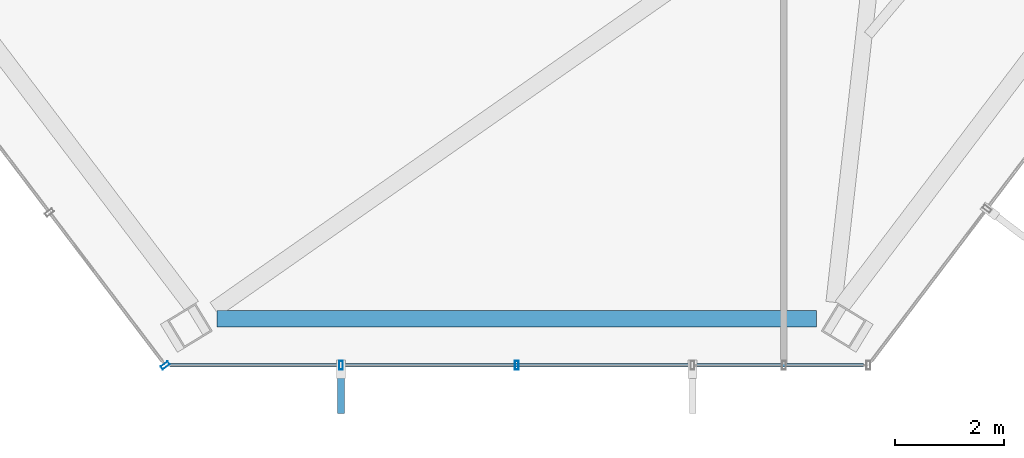
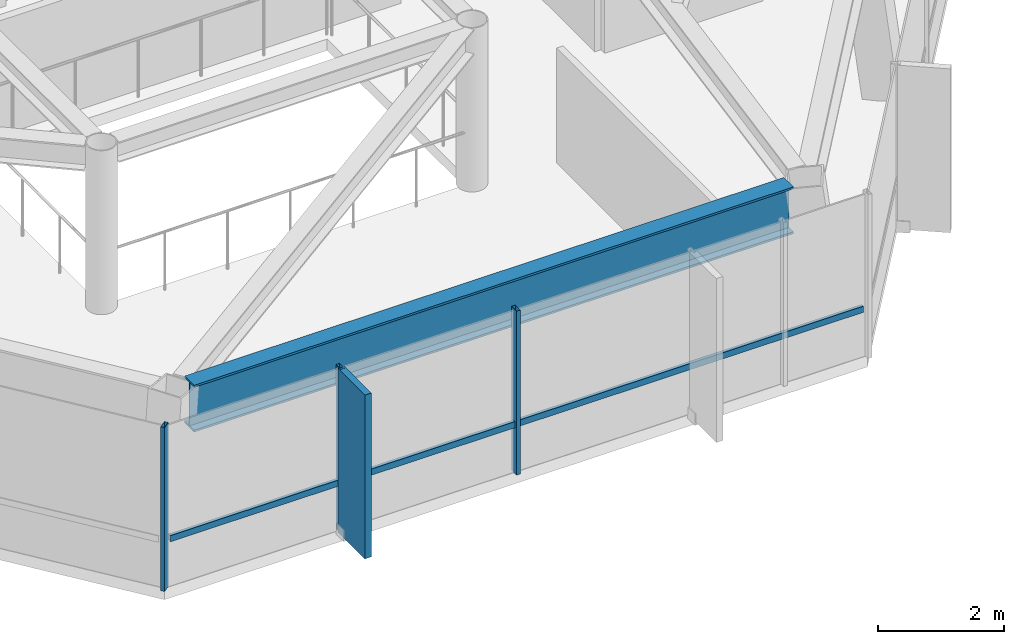
# One storey, part 5 of 27: 5 members, 1 beam, 2 elements without a shape of their own.
"""IFC4 building model written with IfcOpenShell, lengths in metres."""

from ifc_helpers import new_model, si_unit, direction, frame, origin, origin_2d, place, context, subcontext, project, spatial, rectangle, hollow_rectangle, i_section, extrude, material, layer, layer_set, material_profile, profile_set, type_object, element, aggregate, save


model = new_model("IFC4")

# Units and contexts
model_context = context("Model", 3, precision=1e-05, world=origin(), true_north=direction((0.0, 1.0)))
body_context = subcontext(model_context, "Body", "Model", "MODEL_VIEW")
ifc_project = project(units=[si_unit("LENGTHUNIT", "METRE"), si_unit("AREAUNIT", "SQUARE_METRE"), si_unit("VOLUMEUNIT", "CUBIC_METRE"), si_unit("PLANEANGLEUNIT", "RADIAN"), si_unit("MASSUNIT", "GRAM", prefix="KILO")], contexts=[model_context])

# Site, building, storey
site_placement = place(None, origin())
site = spatial("IfcSite", under=ifc_project, at=site_placement, CompositionType="ELEMENT")
building_placement = place(site_placement, origin())
building = spatial("IfcBuilding", under=site, at=building_placement, Name="Zarrinselat Tower", CompositionType="ELEMENT")
storey_placement = place(building_placement, frame((0.0, 0.0, 215.56005859375)))
storey = spatial("IfcBuildingStorey", under=building, at=storey_placement, Name="L53", CompositionType="ELEMENT", Elevation=215.56005859375)

# Beam
ifc_material_1 = material(Name="Steel S460M", Category="steel")
ifc_material_profile_1 = material_profile(ifc_material_1, i_section(OverallWidth=0.302001953125, OverallDepth=0.909912109375, WebThickness=0.02099609375, FlangeThickness=0.0400390625, at=origin_2d()), Name="HEM 900")
ifc_profile_set_1 = profile_set([ifc_material_profile_1], Name="Steel S460M")
beam_type = type_object("IfcBeamType", Name="BM-HEM900", PredefinedType="BEAM", material=ifc_profile_set_1)
beam_placement = place(storey_placement, frame((32.90087890625, 18.7666015625, 2.724853515625), z_axis=(1.0, 0.0, 0.0), x_axis=(0.0, 1.0, 0.0)))
element("IfcBeam", 1, at=beam_placement, inside=storey, type_object=beam_type, Name="L53 Perimeter Spandrel Girder SP10", PredefinedType="BEAM", context=body_context, shape_type="SweptSolid", body=[
    extrude(i_section(OverallWidth=0.302001953125, OverallDepth=0.909912109375, WebThickness=0.02099609375, FlangeThickness=0.0400390625, at=origin_2d()), origin(), (0.0, 0.0, 1.0), 10.998291015625),
])

# Curtain wall, member
ifc_material_2 = material(Name="Extruded Aluminium Alloy EN AW-6063 T6", Category="aluminium")
ifc_layer = layer(ifc_material_2, 0.169921875)
ifc_layer_set = layer_set([ifc_layer], Name="Extruded Aluminium Alloy EN AW-6063 T6")
curtain_wall_type = type_object("IfcCurtainWallType", Name="CWS-RES", PredefinedType="NOTDEFINED", material=ifc_layer_set)
curtain_wall_1_placement = place(storey_placement, origin())
curtain_wall_1 = element("IfcCurtainWall", 2, at=curtain_wall_1_placement, inside=storey, type_object=curtain_wall_type, Name="L53 Unitised Curtain Wall CW-L53-E03", PredefinedType="NOTDEFINED")
ifc_material_3 = material(Name="Extruded Aluminium Alloy EN AW-6063 T6", Category="aluminium")
ifc_material_profile_2 = material_profile(ifc_material_3, hollow_rectangle(XDim=0.070068359375, YDim=0.159912109375, WallThickness=0.00390625, at=origin_2d()), Name="RHS 160x70x4")
ifc_profile_set_2 = profile_set([ifc_material_profile_2], Name="Extruded Aluminium Alloy EN AW-6063 T6")
member_type_1 = type_object("IfcMemberType", Name="MEM-CW-MUL2", PredefinedType="MULLION", material=ifc_profile_set_2)
member_1_placement = place(storey_placement, frame((31.950927734375, 17.910400390625, 0.0), z_axis=(0.0, 0.0, 1.0), x_axis=(0.603858850791, -0.797091267247, 0.0)))
member_1 = element("IfcMember", 3, at=member_1_placement, type_object=member_type_1, Name="CW-L53-E03 Mullion 9", PredefinedType="MULLION", context=body_context, shape_type="SweptSolid", body=[
    extrude(hollow_rectangle(XDim=0.070068359375, YDim=0.159912109375, WallThickness=0.00390625, at=origin_2d()), origin(), (0.0, 0.0, 1.0), 3.179931640625),
])
aggregate(curtain_wall_1, [member_1])

# Curtain wall, members
curtain_wall_2_placement = place(storey_placement, origin())
curtain_wall_2 = element("IfcCurtainWall", 4, at=curtain_wall_2_placement, inside=storey, type_object=curtain_wall_type, Name="L53 Unitised Curtain Wall CW-L53-E04", PredefinedType="NOTDEFINED")
member_2_placement = place(storey_placement, frame((35.175537109375, 17.910400390625, 0.0), z_axis=(0.0, 0.0, 1.0), x_axis=(1.0, 0.0, 0.0)))
member_2 = element("IfcMember", 5, at=member_2_placement, type_object=member_type_1, Name="CW-L53-E04 Mullion 1", PredefinedType="MULLION", context=body_context, shape_type="SweptSolid", body=[
    extrude(hollow_rectangle(XDim=0.070068359375, YDim=0.159912109375, WallThickness=0.00390625, at=origin_2d()), origin(), (0.0, 0.0, 1.0), 3.179931640625),
])
member_3_placement = place(storey_placement, frame((38.39990234375, 17.910400390625, 0.0), z_axis=(0.0, 0.0, 1.0), x_axis=(1.0, 0.0, 0.0)))
member_3 = element("IfcMember", 6, at=member_3_placement, type_object=member_type_1, Name="CW-L53-E04 Mullion 2", PredefinedType="MULLION", context=body_context, shape_type="SweptSolid", body=[
    extrude(hollow_rectangle(XDim=0.070068359375, YDim=0.159912109375, WallThickness=0.00390625, at=origin_2d()), origin(), (0.0, 0.0, 1.0), 3.179931640625),
])
ifc_material_4 = material(Name="Extruded Aluminium Alloy EN AW-6063 T6", Category="aluminium")
ifc_material_profile_3 = material_profile(ifc_material_4, hollow_rectangle(XDim=0.06005859375, YDim=0.1201171875, WallThickness=0.00390625, at=origin_2d()), Name="RHS 120x60x4")
ifc_profile_set_3 = profile_set([ifc_material_profile_3], Name="Extruded Aluminium Alloy EN AW-6063 T6")
member_type_2 = type_object("IfcMemberType", Name="MEM-CW-TRN2", PredefinedType="USERDEFINED", material=ifc_profile_set_3)
member_4_placement = place(storey_placement, frame((32.041015625, 17.910400390625, 0.949951171875), z_axis=(1.0, 0.0, 0.0), x_axis=(0.0, 1.0, 0.0)))
member_4 = element("IfcMember", 7, at=member_4_placement, type_object=member_type_2, Name="CW-L53-E04 Transom 1", ObjectType="TRANSOM", PredefinedType="USERDEFINED", context=body_context, shape_type="SweptSolid", body=[
    extrude(hollow_rectangle(XDim=0.06005859375, YDim=0.1201171875, WallThickness=0.00390625, at=origin_2d()), origin(), (0.0, 0.0, 1.0), 12.718017578125),
])
ifc_material_5 = material(Name="Honed Cream Travertine Stone", Category="masonry")
ifc_material_profile_4 = material_profile(ifc_material_5, rectangle(XDim=0.1201171875, YDim=0.85009765625, at=origin_2d()), Name="FIN 850x120")
ifc_profile_set_4 = profile_set([ifc_material_profile_4], Name="Honed Cream Travertine Stone")
member_type_3 = type_object("IfcMemberType", Name="MEM-STONE-FIN", PredefinedType="USERDEFINED", material=ifc_profile_set_4)
member_5_placement = place(storey_placement, frame((35.175537109375, 17.450439453125, 0.0), z_axis=(0.0, 0.0, 1.0), x_axis=(-1.0, 0.0, 0.0)))
member_5 = element("IfcMember", 8, at=member_5_placement, type_object=member_type_3, Name="L53 Stone Shading Fin CW-L53-E04-01", ObjectType="FIN", PredefinedType="USERDEFINED", context=body_context, shape_type="SweptSolid", body=[
    extrude(rectangle(XDim=0.1201171875, YDim=0.85009765625, at=origin_2d()), origin(), (0.0, 0.0, 1.0), 3.179931640625),
])
aggregate(curtain_wall_2, [member_2, member_5, member_3, member_4])

save(model, "model.ifc")
